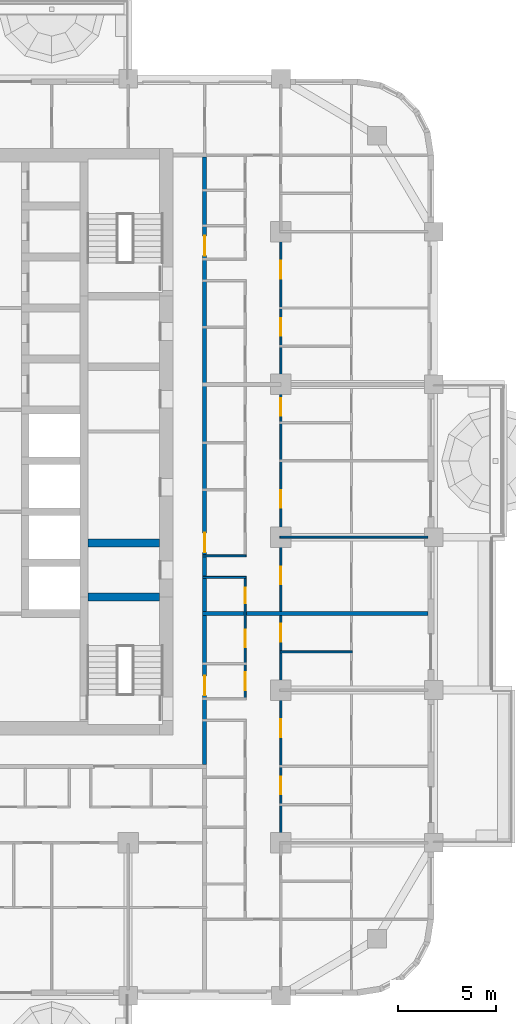
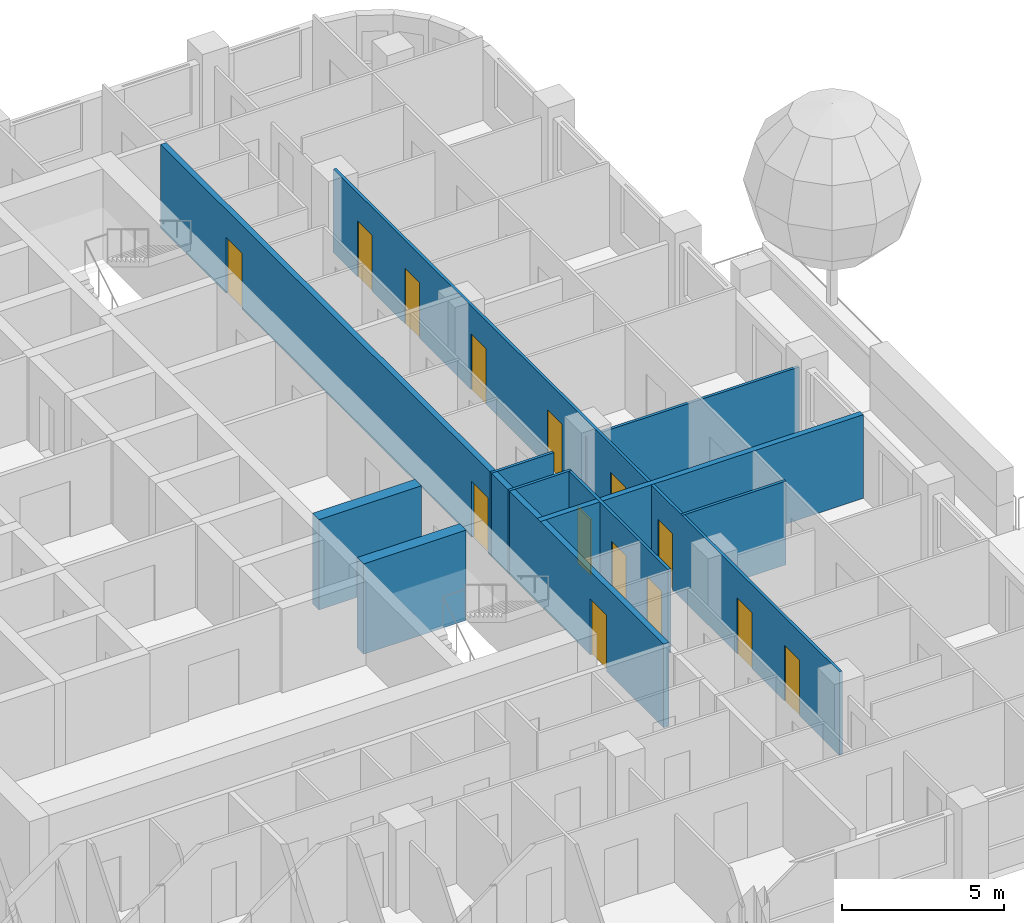
# One storey, part 8 of 18: 14 doors, 10 walls, 14 openings.
"""IFC4 building model written with IfcOpenShell, lengths in metres."""

from ifc_helpers import new_model, si_unit, direction, frame, frame_2d, origin, place, context, subcontext, project, spatial, rectangle, extrude, material, layer, layer_set, type_object, element, fill, save


model = new_model("IFC4")

# Units and contexts
model_context = context("Model", 3, precision=1e-05, world=origin(), true_north=direction((0.0, 1.0)))
body_context = subcontext(model_context, "Body", "Model", "MODEL_VIEW")
ifc_project = project(units=[si_unit("LENGTHUNIT", "METRE"), si_unit("AREAUNIT", "SQUARE_METRE"), si_unit("VOLUMEUNIT", "CUBIC_METRE"), si_unit("PLANEANGLEUNIT", "RADIAN"), si_unit("MASSUNIT", "GRAM", prefix="KILO")], contexts=[model_context])

# Site, building, storey
site_placement = place(None, origin())
site = spatial("IfcSite", under=ifc_project, at=site_placement, CompositionType="ELEMENT")
building_placement = place(site_placement, origin())
building = spatial("IfcBuilding", under=site, at=building_placement, Name="Ludao Terraces", CompositionType="ELEMENT")
storey_placement = place(building_placement, frame((0.0, 0.0, 58.0)))
storey = spatial("IfcBuildingStorey", under=building, at=storey_placement, Name="L15", CompositionType="ELEMENT", Elevation=58.0)

# Wall, openings, doors
ifc_material_1 = material(Name="Autoclaved aerated concrete block B06 A3.5", Category="concrete")
ifc_layer_1 = layer(ifc_material_1, 0.199951171875)
ifc_layer_set_1 = layer_set([ifc_layer_1], Name="INT Entrance wall 200")
wall_type_1 = type_object("IfcWallType", Name="INT Entrance wall 200", PredefinedType="PARTITIONING", material=ifc_layer_set_1)
wall_1_placement = place(storey_placement, frame((96.699951171875, 53.400146484375, 0.0), z_axis=(0.0, 0.0, 1.0), x_axis=(0.0, 1.0, 0.0)))
wall_1 = element("IfcWall", 1, at=wall_1_placement, inside=storey, type_object=wall_type_1, Name="PW-L15-PW114", PredefinedType="PARTITIONING", context=body_context, shape_type="SweptSolid", body=[
    extrude(rectangle(XDim=31.0, YDim=0.199951171875, at=frame_2d((15.5, 0.0))), origin(), (0.0, 0.0, 1.0), 3.14990234375),
])
opening_1_placement = place(wall_1_placement, frame((3.52490234375, 0.0, 0.0)))
opening_1 = element("IfcOpeningElement", 2, at=opening_1_placement, cuts=wall_1, Name="Opening R04-061", PredefinedType="OPENING", context=body_context, shape_type="SweptSolid", body=[
    extrude(rectangle(XDim=1.0, YDim=2.10009765625, at=frame_2d((0.5, 1.050048828125))), frame((0.0, 0.10986328125, 0.0), z_axis=(0.0, -1.0, 0.0), x_axis=(1.0, 0.0, 0.0)), (0.0, 0.0, 1.0), 0.219970703125),
])
opening_2_placement = place(wall_1_placement, frame((10.824951171875, 0.0, 0.0)))
opening_2 = element("IfcOpeningElement", 3, at=opening_2_placement, cuts=wall_1, Name="Opening R04-082", PredefinedType="OPENING", context=body_context, shape_type="SweptSolid", body=[
    extrude(rectangle(XDim=1.0, YDim=2.10009765625, at=frame_2d((0.5, 1.050048828125))), frame((0.0, 0.10986328125, 0.0), z_axis=(0.0, -1.0, 0.0), x_axis=(1.0, 0.0, 0.0)), (0.0, 0.0, 1.0), 0.219970703125),
])
opening_3_placement = place(wall_1_placement, frame((25.97509765625, 0.0, 0.0)))
opening_3 = element("IfcOpeningElement", 4, at=opening_3_placement, cuts=wall_1, Name="Opening R04-137", PredefinedType="OPENING", context=body_context, shape_type="SweptSolid", body=[
    extrude(rectangle(XDim=1.0, YDim=2.10009765625, at=frame_2d((0.5, 1.050048828125))), frame((0.0, 0.10986328125, 0.0), z_axis=(0.0, -1.0, 0.0), x_axis=(1.0, 0.0, 0.0)), (0.0, 0.0, 1.0), 0.219970703125),
])
ifc_material_2 = material(Name="Steel Q235", Category="steel")
door_type_1 = type_object("IfcDoorType", Name="INT Flat entrance door 1000", OperationType="SINGLE_SWING_LEFT", PredefinedType="DOOR", material=ifc_material_2)
door_1_placement = place(opening_1_placement, origin())
door_1 = element("IfcDoor", 5, at=door_1_placement, inside=storey, type_object=door_type_1, Name="DOOR 061", OperationType="SINGLE_SWING_LEFT", OverallHeight=2.10009765625, OverallWidth=1.0, PredefinedType="DOOR", context=body_context, shape_type="SweptSolid", body=[
    extrude(rectangle(XDim=1.0, YDim=2.10009765625, at=frame_2d((0.5, 1.050048828125))), frame((0.0, 0.02490234375, 0.0), z_axis=(0.0, -1.0, 0.0), x_axis=(1.0, 0.0, 0.0)), (0.0, 0.0, 1.0), 0.050048828125),
])
fill(opening_1, door_1)
door_2_placement = place(opening_2_placement, origin())
door_2 = element("IfcDoor", 6, at=door_2_placement, inside=storey, type_object=door_type_1, Name="DOOR 082", OperationType="SINGLE_SWING_LEFT", OverallHeight=2.10009765625, OverallWidth=1.0, PredefinedType="DOOR", context=body_context, shape_type="SweptSolid", body=[
    extrude(rectangle(XDim=1.0, YDim=2.10009765625, at=frame_2d((0.5, 1.050048828125))), frame((0.0, 0.02490234375, 0.0), z_axis=(0.0, -1.0, 0.0), x_axis=(1.0, 0.0, 0.0)), (0.0, 0.0, 1.0), 0.050048828125),
])
fill(opening_2, door_2)
door_3_placement = place(opening_3_placement, origin())
door_3 = element("IfcDoor", 7, at=door_3_placement, inside=storey, type_object=door_type_1, Name="DOOR 137", OperationType="SINGLE_SWING_LEFT", OverallHeight=2.10009765625, OverallWidth=1.0, PredefinedType="DOOR", context=body_context, shape_type="SweptSolid", body=[
    extrude(rectangle(XDim=1.0, YDim=2.10009765625, at=frame_2d((0.5, 1.050048828125))), frame((0.0, 0.02490234375, 0.0), z_axis=(0.0, -1.0, 0.0), x_axis=(1.0, 0.0, 0.0)), (0.0, 0.0, 1.0), 0.050048828125),
])
fill(opening_3, door_3)

# Walls
ifc_material_3 = material(Name="Gypsum plasterboard", Category="gypsum")
ifc_layer_2 = layer(ifc_material_3, 0.012451171875, Category="gypsum")
ifc_material_4 = material(Name="Mineral wool")
ifc_layer_3 = layer(ifc_material_4, 0.06005859375, Name="insulation")
ifc_layer_4 = layer(ifc_material_2, 0.014892578125, Name="stud")
ifc_layer_5 = layer(ifc_material_3, 0.012451171875, Category="gypsum")
ifc_layer_set_2 = layer_set([ifc_layer_2, ifc_layer_3, ifc_layer_4, ifc_layer_5], Name="INT Partition 100")
wall_type_2 = type_object("IfcWallType", Name="INT Partition 100", PredefinedType="PARTITIONING", material=ifc_layer_set_2)
wall_2_placement = place(storey_placement, frame((100.550048828125, 59.14990234375, 0.0), z_axis=(0.0, 0.0, 1.0), x_axis=(1.0, 0.0, 0.0)))
element("IfcWall", 8, at=wall_2_placement, inside=storey, type_object=wall_type_2, Name="PW-L15-PW031", PredefinedType="PARTITIONING", context=body_context, shape_type="SweptSolid", body=[
    extrude(rectangle(XDim=3.699951171875, YDim=0.10009765625, at=frame_2d((1.85009765625, 0.0))), origin(), (0.0, 0.0, 1.0), 3.14990234375),
])
for number, where, z_axis, x_axis, name in (
    (9, (96.60009765625, 62.949951171875, 0.0), (0.0, 0.0, 1.0), (1.0, 0.0, 0.0), "PW-L15-PW036"),
    (10, (96.60009765625, 64.050048828125, 0.0), (0.0, 0.0, 1.0), (1.0, 0.0, 0.0), "PW-L15-PW037"),
):
    element("IfcWall", number, at=place(storey_placement, frame(where, z_axis=z_axis, x_axis=x_axis)), inside=storey, type_object=wall_type_2, Name=name, PredefinedType="PARTITIONING", context=body_context, shape_type="SweptSolid", body=[
        extrude(rectangle(XDim=2.219970703125, YDim=0.10009765625, at=frame_2d((1.10986328125, 0.0))), origin(), (0.0, 0.0, 1.0), 3.14990234375),
    ])
wall_3_placement = place(storey_placement, frame((100.550048828125, 65.0, 0.0), z_axis=(0.0, 0.0, 1.0), x_axis=(1.0, 0.0, 0.0)))
element("IfcWall", 11, at=wall_3_placement, inside=storey, type_object=wall_type_2, Name="PW-L15-PW040", PredefinedType="PARTITIONING", context=body_context, shape_type="SweptSolid", body=[
    extrude(rectangle(XDim=7.550048828125, YDim=0.10009765625, at=frame_2d((3.77490234375, 0.0))), origin(), (0.0, 0.0, 1.0), 2.550048828125),
])

# Wall, openings, doors
wall_4_placement = place(storey_placement, frame((98.77001953125, 56.800048828125, 0.0), z_axis=(0.0, 0.0, 1.0), x_axis=(0.0, 1.0, 0.0)))
wall_4 = element("IfcWall", 12, at=wall_4_placement, inside=storey, type_object=wall_type_2, Name="PW-L15-PW117", PredefinedType="PARTITIONING", context=body_context, shape_type="SweptSolid", body=[
    extrude(rectangle(XDim=6.10009765625, YDim=0.10009765625, at=frame_2d((3.050048828125, 0.0))), origin(), (0.0, 0.0, 1.0), 3.14990234375),
])
opening_4_placement = place(wall_4_placement, frame((0.39990234375, 0.0, 0.0)))
opening_4 = element("IfcOpeningElement", 13, at=opening_4_placement, cuts=wall_4, Name="Opening R04-062", PredefinedType="OPENING", context=body_context, shape_type="SweptSolid", body=[
    extrude(rectangle(XDim=0.89990234375, YDim=2.10009765625, at=frame_2d((0.449951171875, 1.050048828125))), frame((0.0, 0.06005859375, 0.0), z_axis=(0.0, -1.0, 0.0), x_axis=(1.0, 0.0, 0.0)), (0.0, 0.0, 1.0), 0.1201171875),
])
opening_5_placement = place(wall_4_placement, frame((2.574951171875, 0.0, 0.0)))
opening_5 = element("IfcOpeningElement", 14, at=opening_5_placement, cuts=wall_4, Name="Opening R04-066", PredefinedType="OPENING", context=body_context, shape_type="SweptSolid", body=[
    extrude(rectangle(XDim=0.89990234375, YDim=2.10009765625, at=frame_2d((0.449951171875, 1.050048828125))), frame((0.0, 0.06005859375, 0.0), z_axis=(0.0, -1.0, 0.0), x_axis=(1.0, 0.0, 0.0)), (0.0, 0.0, 1.0), 0.1201171875),
])
opening_6_placement = place(wall_4_placement, frame((4.824951171875, 0.0, 0.0)))
opening_6 = element("IfcOpeningElement", 15, at=opening_6_placement, cuts=wall_4, Name="Opening R04-073", PredefinedType="OPENING", context=body_context, shape_type="SweptSolid", body=[
    extrude(rectangle(XDim=0.800048828125, YDim=2.10009765625, at=frame_2d((0.39990234375, 1.050048828125))), frame((0.0, 0.06005859375, 0.0), z_axis=(0.0, -1.0, 0.0), x_axis=(1.0, 0.0, 0.0)), (0.0, 0.0, 1.0), 0.1201171875),
])
ifc_material_5 = material(Name="Timber door leaf", Category="wood")
door_type_2 = type_object("IfcDoorType", Name="INT Bathroom door 900", OperationType="SINGLE_SWING_LEFT", PredefinedType="DOOR", material=ifc_material_5)
door_4_placement = place(opening_4_placement, origin())
door_4 = element("IfcDoor", 16, at=door_4_placement, inside=storey, type_object=door_type_2, Name="DOOR 062", OperationType="SINGLE_SWING_LEFT", OverallHeight=2.10009765625, OverallWidth=0.89990234375, PredefinedType="DOOR", context=body_context, shape_type="SweptSolid", body=[
    extrude(rectangle(XDim=0.89990234375, YDim=2.10009765625, at=frame_2d((0.449951171875, 1.050048828125))), frame((0.0, 0.02490234375, 0.0), z_axis=(0.0, -1.0, 0.0), x_axis=(1.0, 0.0, 0.0)), (0.0, 0.0, 1.0), 0.050048828125),
])
fill(opening_4, door_4)
door_type_3 = type_object("IfcDoorType", Name="INT Room door 900", OperationType="SINGLE_SWING_LEFT", PredefinedType="DOOR", material=ifc_material_5)
door_5_placement = place(opening_5_placement, origin())
door_5 = element("IfcDoor", 17, at=door_5_placement, inside=storey, type_object=door_type_3, Name="DOOR 066", OperationType="SINGLE_SWING_RIGHT", OverallHeight=2.10009765625, OverallWidth=0.89990234375, PredefinedType="DOOR", context=body_context, shape_type="SweptSolid", body=[
    extrude(rectangle(XDim=0.89990234375, YDim=2.10009765625, at=frame_2d((0.449951171875, 1.050048828125))), frame((0.0, 0.02490234375, 0.0), z_axis=(0.0, -1.0, 0.0), x_axis=(1.0, 0.0, 0.0)), (0.0, 0.0, 1.0), 0.050048828125),
])
fill(opening_5, door_5)
door_type_4 = type_object("IfcDoorType", Name="INT Store door 800", OperationType="SINGLE_SWING_LEFT", PredefinedType="DOOR", material=ifc_material_5)
door_6_placement = place(opening_6_placement, origin())
door_6 = element("IfcDoor", 18, at=door_6_placement, inside=storey, type_object=door_type_4, Name="DOOR 073", OperationType="SINGLE_SWING_LEFT", OverallHeight=2.10009765625, OverallWidth=0.800048828125, PredefinedType="DOOR", context=body_context, shape_type="SweptSolid", body=[
    extrude(rectangle(XDim=0.800048828125, YDim=2.10009765625, at=frame_2d((0.39990234375, 1.050048828125))), frame((0.0, 0.02490234375, 0.0), z_axis=(0.0, -1.0, 0.0), x_axis=(1.0, 0.0, 0.0)), (0.0, 0.0, 1.0), 0.050048828125),
])
fill(opening_6, door_6)

wall_5_placement = place(storey_placement, frame((100.60009765625, 49.39990234375, 0.0), z_axis=(0.0, 0.0, 1.0), x_axis=(0.0, 1.0, 0.0)))
wall_5 = element("IfcWall", 19, at=wall_5_placement, inside=storey, type_object=wall_type_2, Name="PW-L15-PW120-2", PredefinedType="PARTITIONING", context=body_context, shape_type="SweptSolid", body=[
    extrude(rectangle(XDim=31.2001953125, YDim=0.10009765625, at=frame_2d((15.60009765625, 0.0))), origin(), (0.0, 0.0, 1.0), 3.14990234375),
])
opening_7_placement = place(wall_5_placement, frame((2.47509765625, 0.0, 0.0)))
opening_7 = element("IfcOpeningElement", 20, at=opening_7_placement, cuts=wall_5, Name="Opening R04-047", PredefinedType="OPENING", context=body_context, shape_type="SweptSolid", body=[
    extrude(rectangle(XDim=0.89990234375, YDim=2.10009765625, at=frame_2d((0.449951171875, 1.050048828125))), frame((0.0, 0.06005859375, 0.0), z_axis=(0.0, -1.0, 0.0), x_axis=(1.0, 0.0, 0.0)), (0.0, 0.0, 1.0), 0.1201171875),
])
opening_8_placement = place(wall_5_placement, frame((5.400146484375, 0.0, 0.0)))
opening_8 = element("IfcOpeningElement", 21, at=opening_8_placement, cuts=wall_5, Name="Opening R04-056", PredefinedType="OPENING", context=body_context, shape_type="SweptSolid", body=[
    extrude(rectangle(XDim=0.89990234375, YDim=2.10009765625, at=frame_2d((0.449951171875, 1.050048828125))), frame((0.0, 0.06005859375, 0.0), z_axis=(0.0, -1.0, 0.0), x_axis=(1.0, 0.0, 0.0)), (0.0, 0.0, 1.0), 0.1201171875),
])
opening_9_placement = place(wall_5_placement, frame((10.275146484375, 0.0, 0.0)))
opening_9 = element("IfcOpeningElement", 22, at=opening_9_placement, cuts=wall_5, Name="Opening R04-069", PredefinedType="OPENING", context=body_context, shape_type="SweptSolid", body=[
    extrude(rectangle(XDim=0.89990234375, YDim=2.10009765625, at=frame_2d((0.449951171875, 1.050048828125))), frame((0.0, 0.06005859375, 0.0), z_axis=(0.0, -1.0, 0.0), x_axis=(1.0, 0.0, 0.0)), (0.0, 0.0, 1.0), 0.1201171875),
])
opening_10_placement = place(wall_5_placement, frame((13.2001953125, 0.0, 0.0)))
opening_10 = element("IfcOpeningElement", 23, at=opening_10_placement, cuts=wall_5, Name="Opening R04-079", PredefinedType="OPENING", context=body_context, shape_type="SweptSolid", body=[
    extrude(rectangle(XDim=0.89990234375, YDim=2.10009765625, at=frame_2d((0.449951171875, 1.050048828125))), frame((0.0, 0.06005859375, 0.0), z_axis=(0.0, -1.0, 0.0), x_axis=(1.0, 0.0, 0.0)), (0.0, 0.0, 1.0), 0.1201171875),
])
opening_11_placement = place(wall_5_placement, frame((17.10009765625, 0.0, 0.0)))
opening_11 = element("IfcOpeningElement", 24, at=opening_11_placement, cuts=wall_5, Name="Opening R04-088", PredefinedType="OPENING", context=body_context, shape_type="SweptSolid", body=[
    extrude(rectangle(XDim=0.89990234375, YDim=2.10009765625, at=frame_2d((0.449951171875, 1.050048828125))), frame((0.0, 0.06005859375, 0.0), z_axis=(0.0, -1.0, 0.0), x_axis=(1.0, 0.0, 0.0)), (0.0, 0.0, 1.0), 0.1201171875),
])
opening_12_placement = place(wall_5_placement, frame((21.80029296875, 0.0, 0.0)))
opening_12 = element("IfcOpeningElement", 25, at=opening_12_placement, cuts=wall_5, Name="Opening R04-104", PredefinedType="OPENING", context=body_context, shape_type="SweptSolid", body=[
    extrude(rectangle(XDim=0.89990234375, YDim=2.10009765625, at=frame_2d((0.449951171875, 1.050048828125))), frame((0.0, 0.06005859375, 0.0), z_axis=(0.0, -1.0, 0.0), x_axis=(1.0, 0.0, 0.0)), (0.0, 0.0, 1.0), 0.1201171875),
])
opening_13_placement = place(wall_5_placement, frame((25.875244140625, 0.0, 0.0)))
opening_13 = element("IfcOpeningElement", 26, at=opening_13_placement, cuts=wall_5, Name="Opening R04-122", PredefinedType="OPENING", context=body_context, shape_type="SweptSolid", body=[
    extrude(rectangle(XDim=0.89990234375, YDim=2.10009765625, at=frame_2d((0.449951171875, 1.050048828125))), frame((0.0, 0.06005859375, 0.0), z_axis=(0.0, -1.0, 0.0), x_axis=(1.0, 0.0, 0.0)), (0.0, 0.0, 1.0), 0.1201171875),
])
opening_14_placement = place(wall_5_placement, frame((28.80029296875, 0.0, 0.0)))
opening_14 = element("IfcOpeningElement", 27, at=opening_14_placement, cuts=wall_5, Name="Opening R04-133", PredefinedType="OPENING", context=body_context, shape_type="SweptSolid", body=[
    extrude(rectangle(XDim=0.89990234375, YDim=2.10009765625, at=frame_2d((0.449951171875, 1.050048828125))), frame((0.0, 0.06005859375, 0.0), z_axis=(0.0, -1.0, 0.0), x_axis=(1.0, 0.0, 0.0)), (0.0, 0.0, 1.0), 0.1201171875),
])
door_7_placement = place(opening_7_placement, origin())
door_7 = element("IfcDoor", 28, at=door_7_placement, inside=storey, type_object=door_type_3, Name="DOOR 047", OperationType="SINGLE_SWING_LEFT", OverallHeight=2.10009765625, OverallWidth=0.89990234375, PredefinedType="DOOR", context=body_context, shape_type="SweptSolid", body=[
    extrude(rectangle(XDim=0.89990234375, YDim=2.10009765625, at=frame_2d((0.449951171875, 1.050048828125))), frame((0.0, 0.02490234375, 0.0), z_axis=(0.0, -1.0, 0.0), x_axis=(1.0, 0.0, 0.0)), (0.0, 0.0, 1.0), 0.050048828125),
])
fill(opening_7, door_7)
door_8_placement = place(opening_8_placement, origin())
door_8 = element("IfcDoor", 29, at=door_8_placement, inside=storey, type_object=door_type_3, Name="DOOR 056", OperationType="SINGLE_SWING_LEFT", OverallHeight=2.10009765625, OverallWidth=0.89990234375, PredefinedType="DOOR", context=body_context, shape_type="SweptSolid", body=[
    extrude(rectangle(XDim=0.89990234375, YDim=2.10009765625, at=frame_2d((0.449951171875, 1.050048828125))), frame((0.0, 0.02490234375, 0.0), z_axis=(0.0, -1.0, 0.0), x_axis=(1.0, 0.0, 0.0)), (0.0, 0.0, 1.0), 0.050048828125),
])
fill(opening_8, door_8)
door_9_placement = place(opening_9_placement, origin())
door_9 = element("IfcDoor", 30, at=door_9_placement, inside=storey, type_object=door_type_3, Name="DOOR 069", OperationType="SINGLE_SWING_RIGHT", OverallHeight=2.10009765625, OverallWidth=0.89990234375, PredefinedType="DOOR", context=body_context, shape_type="SweptSolid", body=[
    extrude(rectangle(XDim=0.89990234375, YDim=2.10009765625, at=frame_2d((0.449951171875, 1.050048828125))), frame((0.0, 0.02490234375, 0.0), z_axis=(0.0, -1.0, 0.0), x_axis=(1.0, 0.0, 0.0)), (0.0, 0.0, 1.0), 0.050048828125),
])
fill(opening_9, door_9)
door_10_placement = place(opening_10_placement, origin())
door_10 = element("IfcDoor", 31, at=door_10_placement, inside=storey, type_object=door_type_3, Name="DOOR 079", OperationType="SINGLE_SWING_LEFT", OverallHeight=2.10009765625, OverallWidth=0.89990234375, PredefinedType="DOOR", context=body_context, shape_type="SweptSolid", body=[
    extrude(rectangle(XDim=0.89990234375, YDim=2.10009765625, at=frame_2d((0.449951171875, 1.050048828125))), frame((0.0, 0.02490234375, 0.0), z_axis=(0.0, -1.0, 0.0), x_axis=(1.0, 0.0, 0.0)), (0.0, 0.0, 1.0), 0.050048828125),
])
fill(opening_10, door_10)
door_11_placement = place(opening_11_placement, origin())
door_11 = element("IfcDoor", 32, at=door_11_placement, inside=storey, type_object=door_type_3, Name="DOOR 088", OperationType="SINGLE_SWING_RIGHT", OverallHeight=2.10009765625, OverallWidth=0.89990234375, PredefinedType="DOOR", context=body_context, shape_type="SweptSolid", body=[
    extrude(rectangle(XDim=0.89990234375, YDim=2.10009765625, at=frame_2d((0.449951171875, 1.050048828125))), frame((0.0, 0.02490234375, 0.0), z_axis=(0.0, -1.0, 0.0), x_axis=(1.0, 0.0, 0.0)), (0.0, 0.0, 1.0), 0.050048828125),
])
fill(opening_11, door_11)
door_12_placement = place(opening_12_placement, origin())
door_12 = element("IfcDoor", 33, at=door_12_placement, inside=storey, type_object=door_type_3, Name="DOOR 104", OperationType="SINGLE_SWING_RIGHT", OverallHeight=2.10009765625, OverallWidth=0.89990234375, PredefinedType="DOOR", context=body_context, shape_type="SweptSolid", body=[
    extrude(rectangle(XDim=0.89990234375, YDim=2.10009765625, at=frame_2d((0.449951171875, 1.050048828125))), frame((0.0, 0.02490234375, 0.0), z_axis=(0.0, -1.0, 0.0), x_axis=(1.0, 0.0, 0.0)), (0.0, 0.0, 1.0), 0.050048828125),
])
fill(opening_12, door_12)
door_13_placement = place(opening_13_placement, origin())
door_13 = element("IfcDoor", 34, at=door_13_placement, inside=storey, type_object=door_type_3, Name="DOOR 122", OperationType="SINGLE_SWING_RIGHT", OverallHeight=2.10009765625, OverallWidth=0.89990234375, PredefinedType="DOOR", context=body_context, shape_type="SweptSolid", body=[
    extrude(rectangle(XDim=0.89990234375, YDim=2.10009765625, at=frame_2d((0.449951171875, 1.050048828125))), frame((0.0, 0.02490234375, 0.0), z_axis=(0.0, -1.0, 0.0), x_axis=(1.0, 0.0, 0.0)), (0.0, 0.0, 1.0), 0.050048828125),
])
fill(opening_13, door_13)
door_14_placement = place(opening_14_placement, origin())
door_14 = element("IfcDoor", 35, at=door_14_placement, inside=storey, type_object=door_type_3, Name="DOOR 133", OperationType="SINGLE_SWING_LEFT", OverallHeight=2.10009765625, OverallWidth=0.89990234375, PredefinedType="DOOR", context=body_context, shape_type="SweptSolid", body=[
    extrude(rectangle(XDim=0.89990234375, YDim=2.10009765625, at=frame_2d((0.449951171875, 1.050048828125))), frame((0.0, 0.02490234375, 0.0), z_axis=(0.0, -1.0, 0.0), x_axis=(1.0, 0.0, 0.0)), (0.0, 0.0, 1.0), 0.050048828125),
])
fill(opening_14, door_14)

# Walls
ifc_layer_6 = layer(ifc_material_1, 0.199951171875)
ifc_layer_set_3 = layer_set([ifc_layer_6], Name="INT Party wall 200")
wall_type_3 = type_object("IfcWallType", Name="INT Party wall 200", PredefinedType="PARTITIONING", material=ifc_layer_set_3)
wall_6_placement = place(storey_placement, frame((96.60009765625, 61.10009765625, 0.0), z_axis=(0.0, 0.0, 1.0), x_axis=(1.0, 0.0, 0.0)))
element("IfcWall", 36, at=wall_6_placement, inside=storey, type_object=wall_type_3, Name="PW-L15-PW035", PredefinedType="PARTITIONING", context=body_context, shape_type="SweptSolid", body=[
    extrude(rectangle(XDim=11.5, YDim=0.199951171875, at=frame_2d((5.75, 0.0))), origin(), (0.0, 0.0, 1.0), 3.14990234375),
])
ifc_material_6 = material(Name="Concrete C60", Category="concrete")
ifc_layer_7 = layer(ifc_material_6, 0.39990234375)
ifc_layer_set_4 = layer_set([ifc_layer_7], Name="Shaft wall 400 C60")
wall_type_4 = type_object("IfcWallType", Name="Shaft wall 400 C60", PredefinedType="SOLIDWALL", material=ifc_layer_set_4)
for number, where, z_axis, x_axis, name in (
    (37, (90.75, 61.949951171875, -0.25), (0.0, 0.0, 1.0), (1.0, 0.0, 0.0), "Core wall L15 hall-E"),
    (38, (90.75, 64.699951171875, -0.25), (0.0, 0.0, 1.0), (1.0, 0.0, 0.0), "Core wall L15 riser-a-E"),
):
    element("IfcWall", number, at=place(storey_placement, frame(where, z_axis=z_axis, x_axis=x_axis)), inside=storey, type_object=wall_type_4, Name=name, PredefinedType="SOLIDWALL", context=body_context, shape_type="SweptSolid", body=[
        extrude(rectangle(XDim=3.64990234375, YDim=0.39990234375, at=frame_2d((1.824951171875, 0.0))), origin(), (0.0, 0.0, 1.0), 3.39990234375),
    ])

save(model, "model.ifc")
